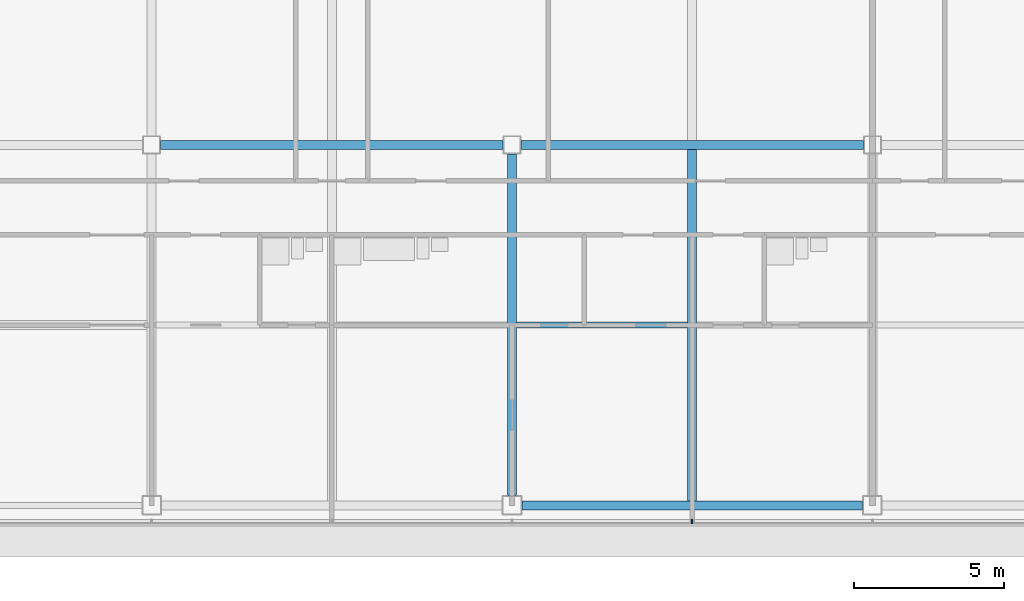
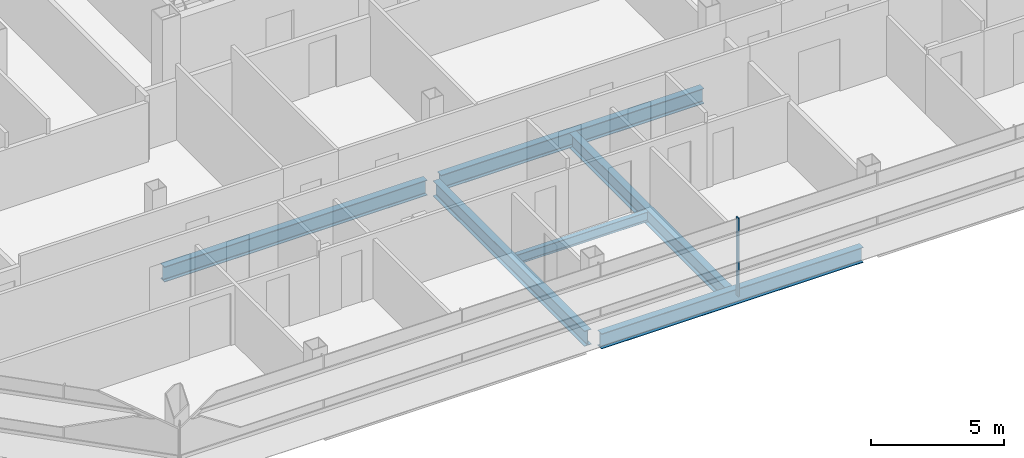
# One storey, part 3 of 27: 6 beams, 1 member, 1 element without a shape of its own.
"""IFC4 building model written with IfcOpenShell, lengths in metres."""

from ifc_helpers import new_model, si_unit, direction, frame, origin, origin_2d, place, context, subcontext, project, spatial, rectangle, i_section, extrude, material, material_profile, profile_set, type_object, element, aggregate, save


model = new_model("IFC4")

# Units and contexts
model_context = context("Model", 3, precision=1e-05, world=origin(), true_north=direction((0.0, 1.0)))
body_context = subcontext(model_context, "Body", "Model", "MODEL_VIEW")
ifc_project = project(units=[si_unit("LENGTHUNIT", "METRE"), si_unit("AREAUNIT", "SQUARE_METRE"), si_unit("VOLUMEUNIT", "CUBIC_METRE"), si_unit("PLANEANGLEUNIT", "RADIAN"), si_unit("MASSUNIT", "GRAM", prefix="KILO")], contexts=[model_context])

# Site, building, storey
site_placement = place(None, origin())
site = spatial("IfcSite", under=ifc_project, at=site_placement, CompositionType="ELEMENT")
building_placement = place(site_placement, origin())
building = spatial("IfcBuilding", under=site, at=building_placement, Name="Sorahane Residences", CompositionType="ELEMENT")
storey_placement = place(building_placement, frame((0.0, 0.0, 226.199951171875)))
storey = spatial("IfcBuildingStorey", under=building, at=storey_placement, Name="L53", CompositionType="ELEMENT", Elevation=226.199951171875)

# Curtain wall, member
ifc_material_1 = material(Name="Dark low-e glass and black anodised aluminium", Category="aluminium")
curtain_wall_type = type_object("IfcCurtainWallType", Name="Curtain wall CW-1 Typical unitised wall", PredefinedType="NOTDEFINED", material=ifc_material_1)
curtain_wall_placement = place(storey_placement, origin())
curtain_wall = element("IfcCurtainWall", 1, at=curtain_wall_placement, inside=storey, type_object=curtain_wall_type, Name="CW-1 curtain wall L53 S1", PredefinedType="NOTDEFINED")
ifc_material_2 = material(Name="Black anodised aluminium", Category="aluminium")
ifc_material_profile_1 = material_profile(ifc_material_2, rectangle(XDim=0.159912109375, YDim=0.050048828125, at=origin_2d()), Name="Curtain wall mullion CW-1 black anodised aluminium 50x160")
ifc_profile_set_1 = profile_set([ifc_material_profile_1], Name="Black anodised aluminium")
member_type = type_object("IfcMemberType", Name="Curtain wall mullion CW-1 black anodised aluminium 50x160", PredefinedType="MULLION", material=ifc_profile_set_1)
member_placement = place(storey_placement, frame((18.0, -0.5400390625, -0.179931640625), z_axis=(0.0, 0.0, 1.0), x_axis=(0.0, -1.0, 0.0)))
member = element("IfcMember", 2, at=member_placement, type_object=member_type, Name="CW-1 mullion L53 S1.5", PredefinedType="MULLION", context=body_context, shape_type="SweptSolid", body=[
    extrude(rectangle(XDim=0.159912109375, YDim=0.050048828125, at=origin_2d()), origin(), (0.0, 0.0, 1.0), 3.60009765625),
])
aggregate(curtain_wall, [member])

# Beams
ifc_material_3 = material(Name="Steel Q355B", Category="steel")
ifc_material_profile_2 = material_profile(ifc_material_3, i_section(OverallWidth=0.199951171875, OverallDepth=0.449951171875, WebThickness=0.009033203125, FlangeThickness=0.013916015625, FilletRadius=0.02001953125, at=origin_2d()), Name="HN 450x200x9x14")
ifc_profile_set_2 = profile_set([ifc_material_profile_2], Name="Steel Q355B")
beam_type_1 = type_object("IfcBeamType", Name="Steel floor beam HN 450x200x9x14 Q355B", PredefinedType="BEAM", material=ifc_profile_set_2)
beam_1_placement = place(storey_placement, frame((12.14990234375, 6.0, -0.405029296875), z_axis=(1.0, 0.0, 0.0), x_axis=(0.0, 1.0, 0.0)))
element("IfcBeam", 3, at=beam_1_placement, inside=storey, type_object=beam_type_1, Name="Beam L53 071", PredefinedType="BEAM", context=body_context, shape_type="SweptSolid", body=[
    extrude(i_section(OverallWidth=0.199951171875, OverallDepth=0.449951171875, WebThickness=0.009033203125, FlangeThickness=0.013916015625, FilletRadius=0.02001953125, at=origin_2d()), origin(), (0.0, 0.0, 1.0), 5.7001953125),
])
ifc_material_4 = material(Name="Steel Q355B", Category="steel")
ifc_material_profile_3 = material_profile(ifc_material_4, i_section(OverallWidth=0.300048828125, OverallDepth=0.699951171875, WebThickness=0.012939453125, FlangeThickness=0.02392578125, FilletRadius=0.028076171875, at=origin_2d()), Name="HN 700x300x13x24")
ifc_profile_set_3 = profile_set([ifc_material_profile_3], Name="Steel Q355B")
beam_type_2 = type_object("IfcBeamType", Name="Steel floor beam HN 700x300x13x24 Q355B", PredefinedType="BEAM", material=ifc_profile_set_3)
beam_2_placement = place(storey_placement, frame((12.324951171875, 0.0, -0.530029296875), z_axis=(1.0, 0.0, 0.0), x_axis=(0.0, 1.0, 0.0)))
element("IfcBeam", 4, at=beam_2_placement, inside=storey, type_object=beam_type_2, Name="Beam L53 002", PredefinedType="BEAM", context=body_context, shape_type="SweptSolid", body=[
    extrude(i_section(OverallWidth=0.300048828125, OverallDepth=0.699951171875, WebThickness=0.012939453125, FlangeThickness=0.02392578125, FilletRadius=0.028076171875, at=origin_2d()), origin(), (0.0, 0.0, 1.0), 11.35009765625),
])
for number, where, z_axis, x_axis, name in (
    (5, (0.300048828125, 12.0, -0.530029296875), (1.0, 0.0, 0.0), (0.0, 1.0, 0.0), "Beam L53 006"),
    (6, (12.300048828125, 12.0, -0.530029296875), (1.0, 0.0, 0.0), (0.0, 1.0, 0.0), "Beam L53 007"),
):
    element("IfcBeam", number, at=place(storey_placement, frame(where, z_axis=z_axis, x_axis=x_axis)), inside=storey, type_object=beam_type_2, Name=name, PredefinedType="BEAM", context=body_context, shape_type="SweptSolid", body=[
        extrude(i_section(OverallWidth=0.300048828125, OverallDepth=0.699951171875, WebThickness=0.012939453125, FlangeThickness=0.02392578125, FilletRadius=0.028076171875, at=origin_2d()), origin(), (0.0, 0.0, 1.0), 11.39990234375),
    ])
beam_3_placement = place(storey_placement, frame((12.0, 0.324951171875, -0.530029296875), z_axis=(0.0, 1.0, 0.0), x_axis=(-1.0, 0.0, 0.0)))
element("IfcBeam", 7, at=beam_3_placement, inside=storey, type_object=beam_type_2, Name="Beam L53 034", PredefinedType="BEAM", context=body_context, shape_type="SweptSolid", body=[
    extrude(i_section(OverallWidth=0.300048828125, OverallDepth=0.699951171875, WebThickness=0.012939453125, FlangeThickness=0.02392578125, FilletRadius=0.028076171875, at=origin_2d()), origin(), (0.0, 0.0, 1.0), 11.375),
])
beam_4_placement = place(storey_placement, frame((18.0, 0.14990234375, -0.530029296875), z_axis=(0.0, 1.0, 0.0), x_axis=(-1.0, 0.0, 0.0)))
element("IfcBeam", 8, at=beam_4_placement, inside=storey, type_object=beam_type_2, Name="Beam L53 036", PredefinedType="BEAM", context=body_context, shape_type="SweptSolid", body=[
    extrude(i_section(OverallWidth=0.300048828125, OverallDepth=0.699951171875, WebThickness=0.012939453125, FlangeThickness=0.02392578125, FilletRadius=0.028076171875, at=origin_2d()), origin(), (0.0, 0.0, 1.0), 11.7001953125),
])

save(model, "model.ifc")
